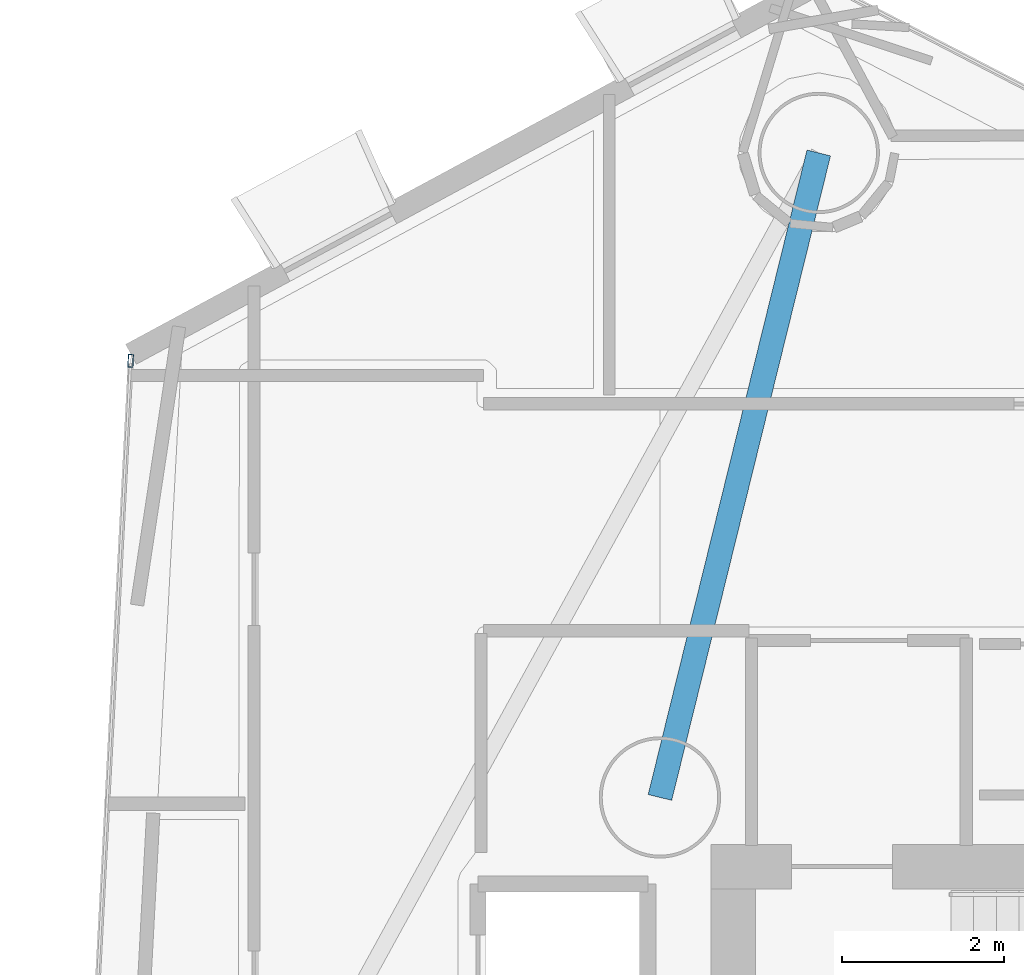
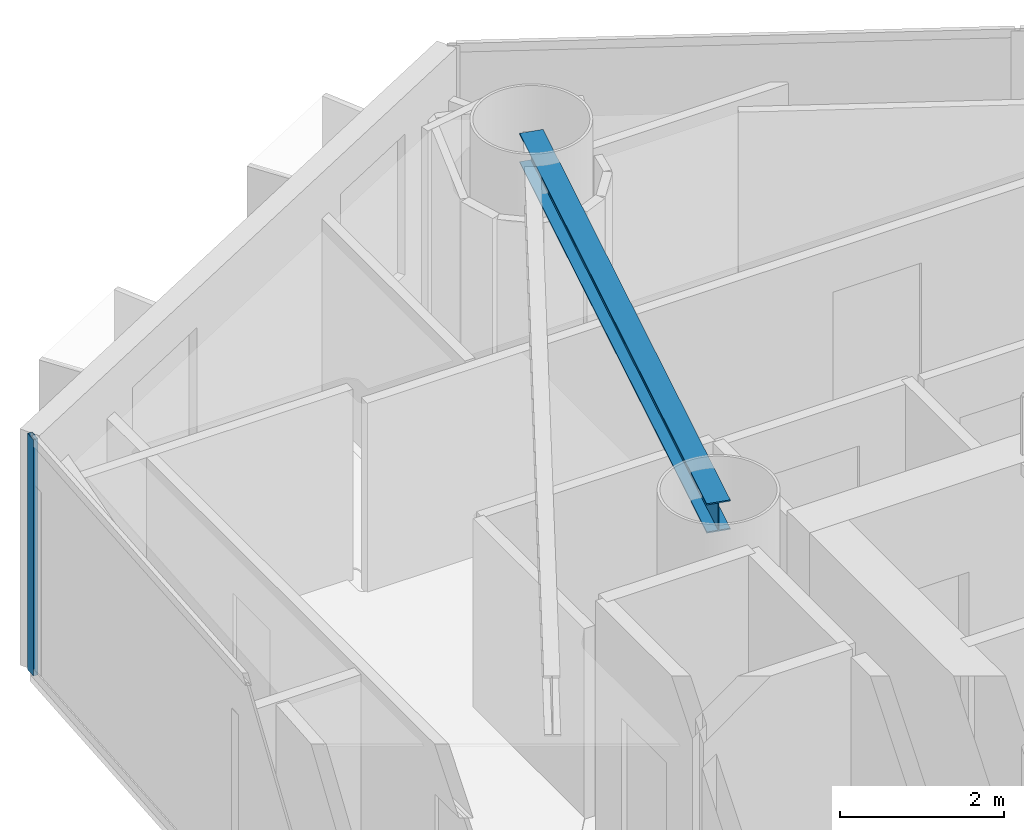
# One storey, part 9 of 21: 1 beam, 1 member, 1 element without a shape of its own.
"""IFC4 building model written with IfcOpenShell, lengths in metres."""

import ifcopenshell
import ifcopenshell.guid

model = None  # the IFC model being written
_history = None  # IfcOwnerHistory: only IFC2X3 demands one
_inside = {}  # id of a spatial element -> (the spatial element, [elements in it])
_under = {}  # id of a project, library or spatial element -> (it, [spatial elements below it])
_declared = {}  # id of a project -> (the project, [libraries it declares])
_typed = {}  # id of a type object -> (the type object, [elements of that type])
_made_of = {}  # id of a material, layer set ... -> (it, [elements and type objects made of it])


def new_model(schema):
    """Start an empty IFC model of exactly this schema.

    Asked for "IFC4X3", IfcOpenShell would pick the latest addendum, in which some entities
    have other attributes; the version numbers below select the first issue.
    IFC2X3 requires an IfcOwnerHistory on every rooted entity: one is made here for all.
    """
    global model, _history
    if schema == "IFC4X3":
        model = ifcopenshell.file(schema_version=(4, 3, 0, 0))
    else:
        model = ifcopenshell.file(schema=schema)
    _inside.clear()
    _under.clear()
    _declared.clear()
    _typed.clear()
    _made_of.clear()
    _history = None
    if model.schema == "IFC2X3":
        org = make("IfcOrganization", Name="unknown")
        user = make(
            "IfcPersonAndOrganization",
            ThePerson=make("IfcPerson", FamilyName="unknown"),
            TheOrganization=org,
        )
        app = make(
            "IfcApplication",
            ApplicationDeveloper=org,
            Version="unknown",
            ApplicationFullName="unknown",
            ApplicationIdentifier="unknown",
        )
        _history = make(
            "IfcOwnerHistory",
            OwningUser=user,
            OwningApplication=app,
            ChangeAction="ADDED",
            CreationDate=0,
        )
    return model


def make(cls, **values):
    """One entity of the class cls with the attributes given. An attribute that is None is left unset."""
    return model.create_entity(
        cls, **{name: value for name, value in values.items() if value is not None}
    )


def rooted(cls, **values):
    """An entity with a GlobalId (a new one), such as an element, a storey or a relation."""
    return make(cls, GlobalId=ifcopenshell.guid.new(), OwnerHistory=_history, **values)


def si_unit(unit_type, name, prefix=None):
    """IfcSIUnit, for example si_unit("LENGTHUNIT", "METRE", prefix="MILLI")."""
    return make("IfcSIUnit", UnitType=unit_type, Prefix=prefix, Name=name)


def assignment(units):
    """IfcUnitAssignment: the units of a project."""
    return None if units is None else make("IfcUnitAssignment", Units=units)


def point(xyz):
    """IfcCartesianPoint."""
    return None if xyz is None else make("IfcCartesianPoint", Coordinates=xyz)


def direction(xyz):
    """IfcDirection."""
    return None if xyz is None else make("IfcDirection", DirectionRatios=xyz)


def frame(location, z_axis=None, x_axis=None):
    """IfcAxis2Placement3D, a coordinate frame: its origin and axes. An axis left out is left unset."""
    return make(
        "IfcAxis2Placement3D",
        Location=point(location),
        Axis=direction(z_axis),
        RefDirection=direction(x_axis),
    )


def frame_2d(location, x_axis=None):
    """IfcAxis2Placement2D, a coordinate frame in the plane: its origin and x axis."""
    return make(
        "IfcAxis2Placement2D", Location=point(location), RefDirection=direction(x_axis)
    )


def origin():
    """The frame at (0, 0, 0) with its axes left unset."""
    return frame((0.0, 0.0, 0.0))


def origin_2d():
    """The frame at (0, 0) in the plane with its x axis left unset."""
    return frame_2d((0.0, 0.0))


def place(relative_to, where):
    """IfcLocalPlacement: puts the frame where relative to a parent placement (None: the world)."""
    return make(
        "IfcLocalPlacement", PlacementRelTo=relative_to, RelativePlacement=where
    )


def context(
    kind, dimensions, precision=None, world=None, true_north=None, identifier=None
):
    """IfcGeometricRepresentationContext, for example the 3D "Model" context."""
    return make(
        "IfcGeometricRepresentationContext",
        ContextIdentifier=identifier,
        ContextType=kind,
        CoordinateSpaceDimension=dimensions,
        Precision=precision,
        WorldCoordinateSystem=world,
        TrueNorth=true_north,
    )


def subcontext(parent, identifier, kind, view, scale=None):
    """IfcGeometricRepresentationSubContext, for example "Body" below "Model"."""
    return make(
        "IfcGeometricRepresentationSubContext",
        ContextIdentifier=identifier,
        ContextType=kind,
        ParentContext=parent,
        TargetScale=scale,
        TargetView=view,
    )


def project(units=None, contexts=None):
    """IfcProject with its units and contexts."""
    return rooted(
        "IfcProject",
        Name="project",
        RepresentationContexts=contexts,
        UnitsInContext=assignment(units),
    )


def spatial(cls, under=None, at=None, **own):
    """A site, building, storey or space (cls), placed at a placement, below another one or the project."""
    s = rooted(cls, ObjectPlacement=at, **own)
    if under is not None:
        _under.setdefault(under.id(), (under, []))[1].append(s)
    return s


def profile(cls, at=None, kind="AREA", **sizes):
    """A parametric profile (cls). Its sizes go by their IFC names, for example OverallWidth=200.0."""
    return make(cls, ProfileType=kind, Position=at, **sizes)


def hollow_rectangle(**sizes):
    """IfcRectangleHollowProfileDef."""
    return profile("IfcRectangleHollowProfileDef", **sizes)


def i_section(**sizes):
    """IfcIShapeProfileDef."""
    return profile("IfcIShapeProfileDef", **sizes)


def extrude(swept, where, along, depth):
    """IfcExtrudedAreaSolid: the profile swept, set in the frame where, extruded along a direction by depth."""
    return make(
        "IfcExtrudedAreaSolid",
        SweptArea=swept,
        Position=where,
        ExtrudedDirection=direction(along),
        Depth=depth,
    )


def shape(context_of_items, identifier, shape_type, items):
    """IfcShapeRepresentation: the items that make up one representation, for example the "Body"."""
    return make(
        "IfcShapeRepresentation",
        ContextOfItems=context_of_items,
        RepresentationIdentifier=identifier,
        RepresentationType=shape_type,
        Items=items,
    )


def material(Name=None, Category=None):
    """IfcMaterial."""
    return make("IfcMaterial", Name=Name, Category=Category)


def layer(
    of_material, thickness, ventilated=None, Name=None, Category=None, Priority=None
):
    """IfcMaterialLayer: one layer of a wall or slab, of a material (None: an air gap)."""
    return make(
        "IfcMaterialLayer",
        Material=of_material,
        LayerThickness=thickness,
        IsVentilated=ventilated,
        Name=Name,
        Category=Category,
        Priority=Priority,
    )


def layer_set(layers, Name=None):
    """IfcMaterialLayerSet."""
    return make("IfcMaterialLayerSet", MaterialLayers=layers, LayerSetName=Name)


def material_profile(
    of_material, cross_section, Name=None, Category=None, Priority=None
):
    """IfcMaterialProfile: a cross section and its material."""
    return make(
        "IfcMaterialProfile",
        Name=Name,
        Material=of_material,
        Profile=cross_section,
        Priority=Priority,
        Category=Category,
    )


def profile_set(profiles, Name=None, composite=None):
    """IfcMaterialProfileSet."""
    return make(
        "IfcMaterialProfileSet",
        Name=Name,
        MaterialProfiles=profiles,
        CompositeProfile=composite,
    )


def made_of(thing, what):
    """Note that an element or type object is made of a material, layer set ...; save() writes the relation."""
    if what is not None:
        _made_of.setdefault(what.id(), (what, []))[1].append(thing)
    return thing


def type_object(cls, material=None, **own):
    """A type object (cls), such as IfcWallType, which elements share."""
    return made_of(rooted(cls, **own), material)


def element(
    cls,
    number,
    at=None,
    inside=None,
    cuts=None,
    type_object=None,
    material=None,
    context=None,
    identifier="Body",
    shape_type=None,
    held_by="IfcProductDefinitionShape",
    body=None,
    shapes=None,
    **own,
):
    """One element of the class cls, such as IfcWall. Its Tag is "e" and its number.

    at: its placement. inside: the storey or other place that contains it. cuts: it is an
    opening in that element (IfcRelVoidsElement). A single representation is given by context,
    identifier, shape_type and body (its items); several are given by shapes. held_by: the class
    of the entity that holds the representations. save() writes the other relations.
    """
    e = rooted(cls, Tag="e%d" % number, ObjectPlacement=at, **own)
    if body is not None:
        shapes = [shape(context, identifier, shape_type, body)]
    if shapes is not None:
        e.Representation = make(held_by, Representations=shapes)
    if inside is not None:
        _inside.setdefault(inside.id(), (inside, []))[1].append(e)
    if cuts is not None:
        rooted(
            "IfcRelVoidsElement", RelatingBuildingElement=cuts, RelatedOpeningElement=e
        )
    if type_object is not None:
        _typed.setdefault(type_object.id(), (type_object, []))[1].append(e)
    return made_of(e, material)


def aggregate(whole, parts):
    """IfcRelAggregates: a whole, such as a stair, and the parts it consists of."""
    return rooted("IfcRelAggregates", RelatingObject=whole, RelatedObjects=parts)


def save(model, path):
    """Write the relations noted so far, then the file.

    IfcRelAggregates (storeys below a building ...), IfcRelContainedInSpatialStructure (elements
    in a storey), IfcRelDefinesByType, IfcRelAssociatesMaterial and IfcRelDeclares: one each for
    every whole, place, type object, material and project.
    """
    for whole, parts in _under.values():
        aggregate(whole, parts)
    for where, things in _inside.values():
        rooted(
            "IfcRelContainedInSpatialStructure",
            RelatedElements=things,
            RelatingStructure=where,
        )
    for kind, things in _typed.values():
        rooted("IfcRelDefinesByType", RelatedObjects=things, RelatingType=kind)
    for what, things in _made_of.values():
        rooted("IfcRelAssociatesMaterial", RelatedObjects=things, RelatingMaterial=what)
    for by, libraries in _declared.values():
        rooted("IfcRelDeclares", RelatingContext=by, RelatedDefinitions=libraries)
    model.write(path)


model = new_model("IFC4")

# Units and contexts
model_context = context("Model", 3, precision=1e-05, world=origin(), true_north=direction((0.0, 1.0)))
body_context = subcontext(model_context, "Body", "Model", "MODEL_VIEW")
ifc_project = project(units=[si_unit("LENGTHUNIT", "METRE"), si_unit("AREAUNIT", "SQUARE_METRE"), si_unit("VOLUMEUNIT", "CUBIC_METRE"), si_unit("PLANEANGLEUNIT", "RADIAN"), si_unit("MASSUNIT", "GRAM", prefix="KILO")], contexts=[model_context])

# Site, building, storey
site_placement = place(None, origin())
site = spatial("IfcSite", under=ifc_project, at=site_placement, CompositionType="ELEMENT")
building_placement = place(site_placement, origin())
building = spatial("IfcBuilding", under=site, at=building_placement, Name="Qianvela Tower", CompositionType="ELEMENT")
storey_placement = place(building_placement, frame((0.0, 0.0, 131.10009765625)))
storey = spatial("IfcBuildingStorey", under=building, at=storey_placement, Name="L33", CompositionType="ELEMENT", Elevation=131.10009765625)

# Beam
ifc_material_1 = material(Name="Steel Q355B", Category="steel")
ifc_material_profile_1 = material_profile(ifc_material_1, i_section(OverallWidth=0.300048828125, OverallDepth=0.43994140625, WebThickness=0.010986328125, FlangeThickness=0.01806640625, at=origin_2d()), Name="HM440x300x11x18")
ifc_profile_set_1 = profile_set([ifc_material_profile_1], Name="Steel Q355B")
beam_type = type_object("IfcBeamType", Name="BM-HM440-COLL", PredefinedType="BEAM", material=ifc_profile_set_1)
beam_placement = place(storey_placement, frame((28.60009765625, 33.550048828125, 3.2978515625), z_axis=(0.239224384232, 0.970964311388, 0.0), x_axis=(-0.970964311388, 0.239224384232, 0.0)))
element("IfcBeam", 1, at=beam_placement, inside=storey, type_object=beam_type, Name="L33 Perimeter Ring Tie Girder 2B", PredefinedType="BEAM", context=body_context, shape_type="SweptSolid", body=[
    extrude(i_section(OverallWidth=0.300048828125, OverallDepth=0.43994140625, WebThickness=0.010986328125, FlangeThickness=0.01806640625, at=origin_2d()), origin(), (0.0, 0.0, 1.0), 8.209228515625),
])

# Curtain wall, member
ifc_material_2 = material(Name="Anodised Architectural Aluminium and Low-E Glass", Category="aluminium")
ifc_layer = layer(ifc_material_2, 0.169921875)
ifc_layer_set = layer_set([ifc_layer], Name="Anodised Architectural Aluminium and Low-E Glass")
curtain_wall_type = type_object("IfcCurtainWallType", Name="CW-COLIV-Z34", PredefinedType="USERDEFINED", material=ifc_layer_set)
curtain_wall_placement = place(storey_placement, origin())
curtain_wall = element("IfcCurtainWall", 2, at=curtain_wall_placement, inside=storey, type_object=curtain_wall_type, Name="L33 CW-COLIV-Z34 Curtain Wall 04A", ObjectType="CURTAIN_WALL_SYSTEM", PredefinedType="USERDEFINED")
ifc_material_3 = material(Name="Anodised Architectural Aluminium 6063-T6", Category="aluminium")
ifc_material_profile_2 = material_profile(ifc_material_3, hollow_rectangle(XDim=0.06494140625, YDim=0.159912109375, WallThickness=0.0048828125, at=origin_2d()), Name="ALU-MULL-65x160")
ifc_profile_set_2 = profile_set([ifc_material_profile_2], Name="Anodised Architectural Aluminium 6063-T6")
member_type = type_object("IfcMemberType", Name="CW-COLIV-Z34-MULL", PredefinedType="MULLION", material=ifc_profile_set_2)
member_placement = place(storey_placement, frame((22.053466796875, 38.94921875, 0.0), z_axis=(0.0, 0.0, 1.0), x_axis=(0.9985932149, -0.053024439224, 0.0)))
member = element("IfcMember", 3, at=member_placement, type_object=member_type, Name="CW-4 mullion 1", PredefinedType="MULLION", context=body_context, shape_type="SweptSolid", body=[
    extrude(hollow_rectangle(XDim=0.06494140625, YDim=0.159912109375, WallThickness=0.0048828125, at=origin_2d()), origin(), (0.0, 0.0, 1.0), 3.52001953125),
])
aggregate(curtain_wall, [member])

save(model, "model.ifc")
